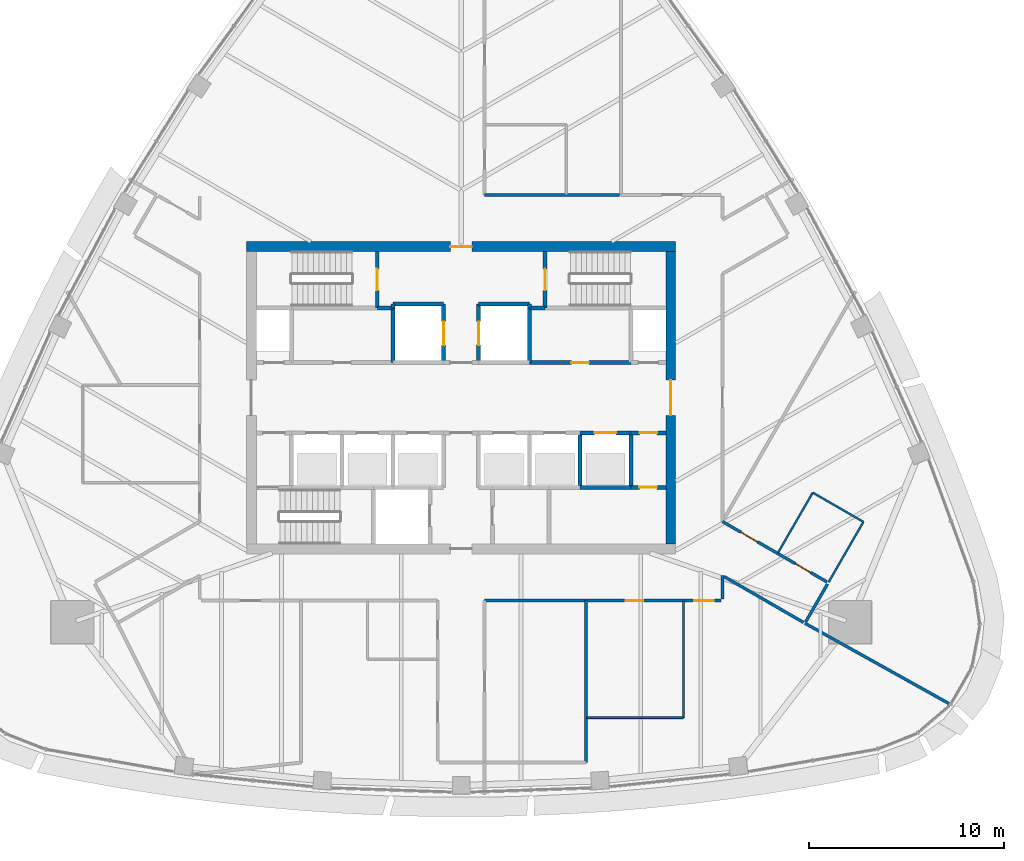
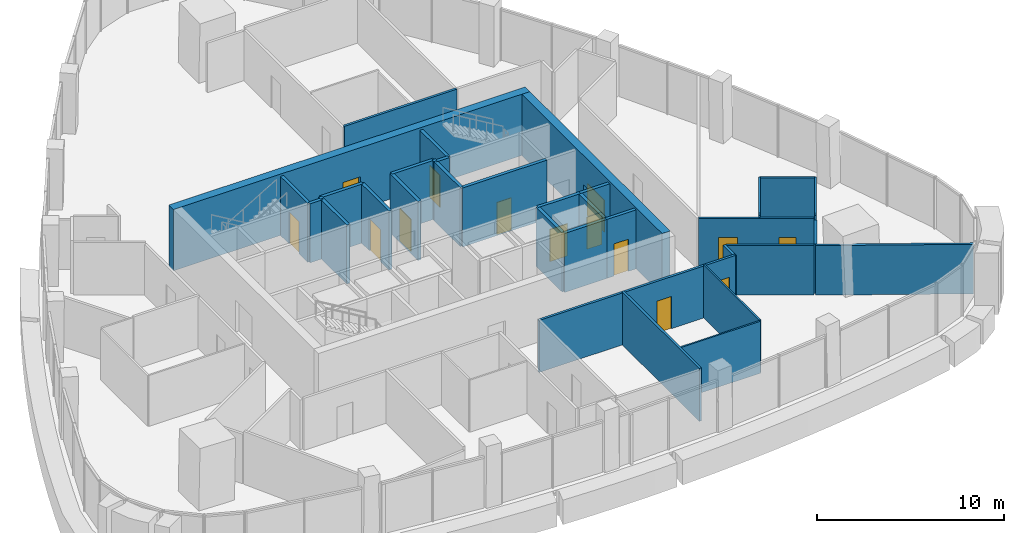
# One storey, part 10 of 15: 34 walls, 14 doors, 14 openings.
"""IFC4 building model written with IfcOpenShell, lengths in metres."""

from ifc_helpers import new_model, si_unit, direction, frame, frame_2d, origin, place, context, subcontext, project, spatial, rectangle, extrude, material, layer, layer_set, type_object, element, fill, save


model = new_model("IFC4")

# Units and contexts
model_context = context("Model", 3, precision=1e-05, world=origin(), true_north=direction((0.0, 1.0)))
body_context = subcontext(model_context, "Body", "Model", "MODEL_VIEW")
ifc_project = project(units=[si_unit("LENGTHUNIT", "METRE"), si_unit("AREAUNIT", "SQUARE_METRE"), si_unit("VOLUMEUNIT", "CUBIC_METRE"), si_unit("PLANEANGLEUNIT", "RADIAN"), si_unit("MASSUNIT", "GRAM", prefix="KILO")], contexts=[model_context])

# Site, building, storey
site_placement = place(None, origin())
site = spatial("IfcSite", under=ifc_project, at=site_placement, CompositionType="ELEMENT")
building_placement = place(site_placement, origin())
building = spatial("IfcBuilding", under=site, at=building_placement, Name="Sierra Prisma Convention Tower", CompositionType="ELEMENT")
storey_placement = place(building_placement, frame((0.0, 0.0, 315.0)))
storey = spatial("IfcBuildingStorey", under=building, at=storey_placement, Name="L72", CompositionType="ELEMENT", Elevation=315.0)

# Walls
ifc_material_1 = material(Name="Gypsum board partition", Category="gypsum")
ifc_layer_1 = layer(ifc_material_1, 0.10009765625)
ifc_layer_set_1 = layer_set([ifc_layer_1], Name="Bathroom partition 100")
wall_type_1 = type_object("IfcWallType", Name="Bathroom partition 100", PredefinedType="PARTITIONING", material=ifc_layer_set_1)
wall_1_placement = place(storey_placement, frame((11.39990234375, -10.429931640625, 0.0), z_axis=(0.0, 0.0, 1.0), x_axis=(0.0, -1.0, 0.0)))
element("IfcWall", 1, at=wall_1_placement, inside=storey, type_object=wall_type_1, Name="Partition L72 bath 8", PredefinedType="PARTITIONING", context=body_context, shape_type="SweptSolid", body=[
    extrude(rectangle(XDim=5.969970703125, YDim=0.10009765625, at=frame_2d((2.98486328125, 0.0))), origin(), (0.0, 0.0, 1.0), 3.449951171875),
])
wall_2_placement = place(storey_placement, frame((11.39990234375, -16.39990234375, 0.0), z_axis=(0.0, 0.0, 1.0), x_axis=(-1.0, 0.0, 0.0)))
element("IfcWall", 2, at=wall_2_placement, inside=storey, type_object=wall_type_1, Name="Partition L72 bath 9", PredefinedType="PARTITIONING", context=body_context, shape_type="SweptSolid", body=[
    extrude(rectangle(XDim=4.969970703125, YDim=0.10009765625, at=frame_2d((2.48486328125, 0.0))), origin(), (0.0, 0.0, 1.0), 3.39306640625),
])
wall_3_placement = place(storey_placement, frame((16.241455078125, -7.956787109375, 0.0), z_axis=(0.0, 0.0, 1.0), x_axis=(0.500022371132, 0.86601248742, 0.0)))
element("IfcWall", 3, at=wall_3_placement, inside=storey, type_object=wall_type_1, Name="Partition L72 bath 10", PredefinedType="PARTITIONING", context=body_context, shape_type="SweptSolid", body=[
    extrude(rectangle(XDim=3.570068359375, YDim=0.10009765625, at=frame_2d((1.78515625, 0.0))), origin(), (0.0, 0.0, 1.0), 3.449951171875),
])
wall_4_placement = place(storey_placement, frame((18.026611328125, -4.864990234375, 0.0), z_axis=(0.0, 0.0, 1.0), x_axis=(0.866010750942, -0.50002537861, 0.0)))
element("IfcWall", 4, at=wall_4_placement, inside=storey, type_object=wall_type_1, Name="Partition L72 bath 11", PredefinedType="PARTITIONING", context=body_context, shape_type="SweptSolid", body=[
    extrude(rectangle(XDim=2.999755859375, YDim=0.10009765625, at=frame_2d((1.5, 0.0))), origin(), (0.0, 0.0, 1.0), 3.443115234375),
])
wall_5_placement = place(storey_placement, frame((20.62451171875, -6.364990234375, 0.0), z_axis=(0.0, 0.0, 1.0), x_axis=(-0.499971082179, -0.866042098853, 0.0)))
element("IfcWall", 5, at=wall_5_placement, inside=storey, type_object=wall_type_1, Name="Partition L72 bath 12", PredefinedType="PARTITIONING", context=body_context, shape_type="SweptSolid", body=[
    extrude(rectangle(XDim=3.570068359375, YDim=0.10009765625, at=frame_2d((1.78515625, 0.0))), origin(), (0.0, 0.0, 1.0), 3.449951171875),
])
ifc_material_2 = material(Name="Concrete C30/37", Category="concrete")
ifc_layer_2 = layer(ifc_material_2, 0.199951171875)
ifc_layer_set_2 = layer_set([ifc_layer_2], Name="Core wall RC 200 C30/37")
wall_type_2 = type_object("IfcWallType", Name="Core wall RC 200 C30/37", PredefinedType="SOLIDWALL", material=ifc_layer_set_2)
wall_6_placement = place(storey_placement, frame((-3.5, 4.60009765625, 0.0), z_axis=(0.0, 0.0, 1.0), x_axis=(-1.0, 0.0, 0.0)))
element("IfcWall", 6, at=wall_6_placement, inside=storey, type_object=wall_type_2, Name="Core wall L72 16", PredefinedType="SOLIDWALL", context=body_context, shape_type="SweptSolid", body=[
    extrude(rectangle(XDim=0.800048828125, YDim=0.199951171875, at=frame_2d((0.39990234375, 0.0))), origin(), (0.0, 0.0, 1.0), 3.85009765625),
])

# Wall, opening, door
wall_7_placement = place(storey_placement, frame((-4.300048828125, 4.60009765625, 0.0), z_axis=(0.0, 0.0, 1.0), x_axis=(0.0, 1.0, 0.0)))
wall_7 = element("IfcWall", 7, at=wall_7_placement, inside=storey, type_object=wall_type_2, Name="Core wall L72 17", PredefinedType="SOLIDWALL", context=body_context, shape_type="SweptSolid", body=[
    extrude(rectangle(XDim=2.89990234375, YDim=0.199951171875, at=frame_2d((1.449951171875, 0.0))), origin(), (0.0, 0.0, 1.0), 3.85009765625),
])
opening_1_placement = place(wall_7_placement, frame((0.89990234375, 0.0, 0.0)))
opening_1 = element("IfcOpeningElement", 8, at=opening_1_placement, cuts=wall_7, Name="Opening L72-D016", PredefinedType="OPENING", context=body_context, shape_type="SweptSolid", body=[
    extrude(rectangle(XDim=1.10009765625, YDim=2.10009765625, at=frame_2d((0.550048828125, 1.050048828125))), frame((0.0, 0.10009765625, 0.0), z_axis=(0.0, -1.0, 0.0), x_axis=(1.0, 0.0, 0.0)), (0.0, 0.0, 1.0), 0.199951171875),
])
ifc_material_3 = material(Name="Steel fire door leaf", Category="steel")
door_type_1 = type_object("IfcDoorType", Name="Door 1100x2100 FD90S", OperationType="SINGLE_SWING_LEFT", PredefinedType="DOOR", material=ifc_material_3)
door_1_placement = place(opening_1_placement, origin())
door_1 = element("IfcDoor", 9, at=door_1_placement, inside=storey, type_object=door_type_1, Name="Door L72 32", OperationType="SINGLE_SWING_RIGHT", OverallHeight=2.10009765625, OverallWidth=1.10009765625, PredefinedType="DOOR", context=body_context, shape_type="SweptSolid", body=[
    extrude(rectangle(XDim=1.10009765625, YDim=2.10009765625, at=frame_2d((0.550048828125, 1.050048828125))), frame((0.0, 0.02490234375, 0.0), z_axis=(0.0, -1.0, 0.0), x_axis=(1.0, 0.0, 0.0)), (0.0, 0.0, 1.0), 0.050048828125),
])
fill(opening_1, door_1)

# Wall
wall_8_placement = place(storey_placement, frame((-3.5, 1.800048828125, 0.0), z_axis=(0.0, 0.0, 1.0), x_axis=(0.0, 1.0, 0.0)))
element("IfcWall", 10, at=wall_8_placement, inside=storey, type_object=wall_type_2, Name="Core wall L72 22", PredefinedType="SOLIDWALL", context=body_context, shape_type="SweptSolid", body=[
    extrude(rectangle(XDim=2.800048828125, YDim=0.199951171875, at=frame_2d((1.39990234375, 0.0))), origin(), (0.0, 0.0, 1.0), 3.85009765625),
])

# Wall, opening, door
wall_9_placement = place(storey_placement, frame((-0.89990234375, 1.800048828125, 0.0), z_axis=(0.0, 0.0, 1.0), x_axis=(0.0, 1.0, 0.0)))
wall_9 = element("IfcWall", 11, at=wall_9_placement, inside=storey, type_object=wall_type_2, Name="Core wall L72 23", PredefinedType="SOLIDWALL", context=body_context, shape_type="SweptSolid", body=[
    extrude(rectangle(XDim=3.0, YDim=0.199951171875, at=frame_2d((1.5, 0.0))), origin(), (0.0, 0.0, 1.0), 3.85009765625),
])
opening_2_placement = place(wall_9_placement, frame((0.89990234375, 0.0, 0.0)))
opening_2 = element("IfcOpeningElement", 12, at=opening_2_placement, cuts=wall_9, Name="Opening L72-D007", PredefinedType="OPENING", context=body_context, shape_type="SweptSolid", body=[
    extrude(rectangle(XDim=1.199951171875, YDim=2.10009765625, at=frame_2d((0.60009765625, 1.050048828125))), frame((0.0, 0.10009765625, 0.0), z_axis=(0.0, -1.0, 0.0), x_axis=(1.0, 0.0, 0.0)), (0.0, 0.0, 1.0), 0.199951171875),
])
ifc_material_4 = material(Name="Steel fire door leaf", Category="steel")
door_type_2 = type_object("IfcDoorType", Name="Door 1200x2100 EI 90 sliding lift landing", OperationType="SLIDING_TO_LEFT", PredefinedType="DOOR", material=ifc_material_4)
door_2_placement = place(opening_2_placement, origin())
door_2 = element("IfcDoor", 13, at=door_2_placement, inside=storey, type_object=door_type_2, Name="Door L72 23", OperationType="SLIDING_TO_LEFT", OverallHeight=2.10009765625, OverallWidth=1.199951171875, PredefinedType="DOOR", context=body_context, shape_type="SweptSolid", body=[
    extrude(rectangle(XDim=1.199951171875, YDim=2.10009765625, at=frame_2d((0.60009765625, 1.050048828125))), frame((0.0, 0.02490234375, 0.0), z_axis=(0.0, -1.0, 0.0), x_axis=(1.0, 0.0, 0.0)), (0.0, 0.0, 1.0), 0.050048828125),
])
fill(opening_2, door_2)

# Walls
wall_10_placement = place(storey_placement, frame((-0.89990234375, 4.800048828125, 0.0), z_axis=(0.0, 0.0, 1.0), x_axis=(-1.0, 0.0, 0.0)))
element("IfcWall", 14, at=wall_10_placement, inside=storey, type_object=wall_type_2, Name="Core wall L72 24", PredefinedType="SOLIDWALL", context=body_context, shape_type="SweptSolid", body=[
    extrude(rectangle(XDim=2.60009765625, YDim=0.199951171875, at=frame_2d((1.300048828125, 0.0))), origin(), (0.0, 0.0, 1.0), 3.85009765625),
])
for number, where, z_axis, x_axis, name in (
    (15, (-3.5, 4.800048828125, 0.0), (0.0, 0.0, 1.0), (0.0, -1.0, 0.0), "Core wall L72 25"),
    (16, (3.5, 4.60009765625, 0.0), (0.0, 0.0, 1.0), (0.0, 1.0, 0.0), "Core wall L72 35"),
):
    element("IfcWall", number, at=place(storey_placement, frame(where, z_axis=z_axis, x_axis=x_axis)), inside=storey, type_object=wall_type_2, Name=name, PredefinedType="SOLIDWALL", context=body_context, shape_type="SweptSolid", body=[
        extrude(rectangle(XDim=0.199951171875, YDim=0.199951171875, at=frame_2d((0.10009765625, 0.0))), origin(), (0.0, 0.0, 1.0), 3.85009765625),
    ])
wall_11_placement = place(storey_placement, frame((3.5, 4.800048828125, 0.0), z_axis=(0.0, 0.0, 1.0), x_axis=(-1.0, 0.0, 0.0)))
element("IfcWall", 17, at=wall_11_placement, inside=storey, type_object=wall_type_2, Name="Core wall L72 36", PredefinedType="SOLIDWALL", context=body_context, shape_type="SweptSolid", body=[
    extrude(rectangle(XDim=2.60009765625, YDim=0.199951171875, at=frame_2d((1.300048828125, 0.0))), origin(), (0.0, 0.0, 1.0), 3.85009765625),
])

# Wall, opening, door
wall_12_placement = place(storey_placement, frame((0.89990234375, 4.800048828125, 0.0), z_axis=(0.0, 0.0, 1.0), x_axis=(0.0, -1.0, 0.0)))
wall_12 = element("IfcWall", 18, at=wall_12_placement, inside=storey, type_object=wall_type_2, Name="Core wall L72 37", PredefinedType="SOLIDWALL", context=body_context, shape_type="SweptSolid", body=[
    extrude(rectangle(XDim=3.0, YDim=0.199951171875, at=frame_2d((1.5, 0.0))), origin(), (0.0, 0.0, 1.0), 3.85009765625),
])
opening_3_placement = place(wall_12_placement, frame((0.89990234375, 0.0, 0.0)))
opening_3 = element("IfcOpeningElement", 19, at=opening_3_placement, cuts=wall_12, Name="Opening L72-D008", PredefinedType="OPENING", context=body_context, shape_type="SweptSolid", body=[
    extrude(rectangle(XDim=1.199951171875, YDim=2.10009765625, at=frame_2d((0.60009765625, 1.050048828125))), frame((0.0, 0.10009765625, 0.0), z_axis=(0.0, -1.0, 0.0), x_axis=(1.0, 0.0, 0.0)), (0.0, 0.0, 1.0), 0.199951171875),
])
door_3_placement = place(opening_3_placement, origin())
door_3 = element("IfcDoor", 20, at=door_3_placement, inside=storey, type_object=door_type_2, Name="Door L72 24", OperationType="SLIDING_TO_LEFT", OverallHeight=2.10009765625, OverallWidth=1.199951171875, PredefinedType="DOOR", context=body_context, shape_type="SweptSolid", body=[
    extrude(rectangle(XDim=1.199951171875, YDim=2.10009765625, at=frame_2d((0.60009765625, 1.050048828125))), frame((0.0, 0.02490234375, 0.0), z_axis=(0.0, -1.0, 0.0), x_axis=(1.0, 0.0, 0.0)), (0.0, 0.0, 1.0), 0.050048828125),
])
fill(opening_3, door_3)

wall_13_placement = place(storey_placement, frame((3.5, 1.800048828125, 0.0), z_axis=(0.0, 0.0, 1.0), x_axis=(1.0, 0.0, 0.0)))
wall_13 = element("IfcWall", 21, at=wall_13_placement, inside=storey, type_object=wall_type_2, Name="Core wall L72 43", PredefinedType="SOLIDWALL", context=body_context, shape_type="SweptSolid", body=[
    extrude(rectangle(XDim=5.199951171875, YDim=0.199951171875, at=frame_2d((2.60009765625, 0.0))), origin(), (0.0, 0.0, 1.0), 3.85009765625),
])
opening_4_placement = place(wall_13_placement, frame((2.14990234375, 0.0, 0.0)))
opening_4 = element("IfcOpeningElement", 22, at=opening_4_placement, cuts=wall_13, Name="Opening L72-D018", PredefinedType="OPENING", context=body_context, shape_type="SweptSolid", body=[
    extrude(rectangle(XDim=0.89990234375, YDim=2.10009765625, at=frame_2d((0.449951171875, 1.050048828125))), frame((0.0, 0.10009765625, 0.0), z_axis=(0.0, -1.0, 0.0), x_axis=(1.0, 0.0, 0.0)), (0.0, 0.0, 1.0), 0.199951171875),
])
ifc_material_5 = material(Name="Steel fire door leaf", Category="steel")
door_type_3 = type_object("IfcDoorType", Name="Door 900x2100 FD30S", OperationType="SINGLE_SWING_LEFT", PredefinedType="DOOR", material=ifc_material_5)
door_4_placement = place(opening_4_placement, origin())
door_4 = element("IfcDoor", 23, at=door_4_placement, inside=storey, type_object=door_type_3, Name="Door L72 34", OperationType="SINGLE_SWING_LEFT", OverallHeight=2.10009765625, OverallWidth=0.89990234375, PredefinedType="DOOR", context=body_context, shape_type="SweptSolid", body=[
    extrude(rectangle(XDim=0.89990234375, YDim=2.10009765625, at=frame_2d((0.449951171875, 1.050048828125))), frame((0.0, 0.02490234375, 0.0), z_axis=(0.0, -1.0, 0.0), x_axis=(1.0, 0.0, 0.0)), (0.0, 0.0, 1.0), 0.050048828125),
])
fill(opening_4, door_4)

# Walls
wall_14_placement = place(storey_placement, frame((3.5, 4.60009765625, 0.0), z_axis=(0.0, 0.0, 1.0), x_axis=(0.0, -1.0, 0.0)))
element("IfcWall", 24, at=wall_14_placement, inside=storey, type_object=wall_type_2, Name="Core wall L72 44", PredefinedType="SOLIDWALL", context=body_context, shape_type="SweptSolid", body=[
    extrude(rectangle(XDim=2.800048828125, YDim=0.199951171875, at=frame_2d((1.39990234375, 0.0))), origin(), (0.0, 0.0, 1.0), 3.85009765625),
])
wall_15_placement = place(storey_placement, frame((4.300048828125, 4.60009765625, 0.0), z_axis=(0.0, 0.0, 1.0), x_axis=(-1.0, 0.0, 0.0)))
element("IfcWall", 25, at=wall_15_placement, inside=storey, type_object=wall_type_2, Name="Core wall L72 45", PredefinedType="SOLIDWALL", context=body_context, shape_type="SweptSolid", body=[
    extrude(rectangle(XDim=0.800048828125, YDim=0.199951171875, at=frame_2d((0.39990234375, 0.0))), origin(), (0.0, 0.0, 1.0), 3.85009765625),
])

# Wall, opening, door
wall_16_placement = place(storey_placement, frame((4.300048828125, 7.5, 0.0), z_axis=(0.0, 0.0, 1.0), x_axis=(0.0, -1.0, 0.0)))
wall_16 = element("IfcWall", 26, at=wall_16_placement, inside=storey, type_object=wall_type_2, Name="Core wall L72 47", PredefinedType="SOLIDWALL", context=body_context, shape_type="SweptSolid", body=[
    extrude(rectangle(XDim=2.89990234375, YDim=0.199951171875, at=frame_2d((1.449951171875, 0.0))), origin(), (0.0, 0.0, 1.0), 3.85009765625),
])
opening_5_placement = place(wall_16_placement, frame((0.89990234375, 0.0, 0.0)))
opening_5 = element("IfcOpeningElement", 27, at=opening_5_placement, cuts=wall_16, Name="Opening L72-D017", PredefinedType="OPENING", context=body_context, shape_type="SweptSolid", body=[
    extrude(rectangle(XDim=1.10009765625, YDim=2.10009765625, at=frame_2d((0.550048828125, 1.050048828125))), frame((0.0, 0.10009765625, 0.0), z_axis=(0.0, -1.0, 0.0), x_axis=(1.0, 0.0, 0.0)), (0.0, 0.0, 1.0), 0.199951171875),
])
door_5_placement = place(opening_5_placement, origin())
door_5 = element("IfcDoor", 28, at=door_5_placement, inside=storey, type_object=door_type_1, Name="Door L72 33", OperationType="SINGLE_SWING_LEFT", OverallHeight=2.10009765625, OverallWidth=1.10009765625, PredefinedType="DOOR", context=body_context, shape_type="SweptSolid", body=[
    extrude(rectangle(XDim=1.10009765625, YDim=2.10009765625, at=frame_2d((0.550048828125, 1.050048828125))), frame((0.0, 0.02490234375, 0.0), z_axis=(0.0, -1.0, 0.0), x_axis=(1.0, 0.0, 0.0)), (0.0, 0.0, 1.0), 0.050048828125),
])
fill(opening_5, door_5)

# Walls
wall_17_placement = place(storey_placement, frame((8.699951171875, -4.60009765625, 0.0), z_axis=(0.0, 0.0, 1.0), x_axis=(-1.0, 0.0, 0.0)))
element("IfcWall", 29, at=wall_17_placement, inside=storey, type_object=wall_type_2, Name="Core wall L72 50", PredefinedType="SOLIDWALL", context=body_context, shape_type="SweptSolid", body=[
    extrude(rectangle(XDim=2.599853515625, YDim=0.199951171875, at=frame_2d((1.2998046875, 0.0))), origin(), (0.0, 0.0, 1.0), 3.85009765625),
])
wall_18_placement = place(storey_placement, frame((6.10009765625, -4.60009765625, 0.0), z_axis=(0.0, 0.0, 1.0), x_axis=(0.0, 1.0, 0.0)))
element("IfcWall", 30, at=wall_18_placement, inside=storey, type_object=wall_type_2, Name="Core wall L72 51", PredefinedType="SOLIDWALL", context=body_context, shape_type="SweptSolid", body=[
    extrude(rectangle(XDim=2.800048828125, YDim=0.199951171875, at=frame_2d((1.39990234375, 0.0))), origin(), (0.0, 0.0, 1.0), 3.85009765625),
])

# Wall, opening, door
wall_19_placement = place(storey_placement, frame((6.10009765625, -1.800048828125, 0.0), z_axis=(0.0, 0.0, 1.0), x_axis=(1.0, 0.0, 0.0)))
wall_19 = element("IfcWall", 31, at=wall_19_placement, inside=storey, type_object=wall_type_2, Name="Core wall L72 52", PredefinedType="SOLIDWALL", context=body_context, shape_type="SweptSolid", body=[
    extrude(rectangle(XDim=2.599853515625, YDim=0.199951171875, at=frame_2d((1.2998046875, 0.0))), origin(), (0.0, 0.0, 1.0), 3.85009765625),
])
opening_6_placement = place(wall_19_placement, frame((0.75, 0.0, 0.0)))
opening_6 = element("IfcOpeningElement", 32, at=opening_6_placement, cuts=wall_19, Name="Opening L72-D006", PredefinedType="OPENING", context=body_context, shape_type="SweptSolid", body=[
    extrude(rectangle(XDim=1.10009765625, YDim=2.10009765625, at=frame_2d((0.550048828125, 1.050048828125))), frame((0.0, 0.10009765625, 0.0), z_axis=(0.0, -1.0, 0.0), x_axis=(1.0, 0.0, 0.0)), (0.0, 0.0, 1.0), 0.199951171875),
])
ifc_material_6 = material(Name="Steel fire door leaf", Category="steel")
door_type_4 = type_object("IfcDoorType", Name="Door 1100x2100 EI 90 sliding lift landing", OperationType="SLIDING_TO_LEFT", PredefinedType="DOOR", material=ifc_material_6)
door_6_placement = place(opening_6_placement, origin())
door_6 = element("IfcDoor", 33, at=door_6_placement, inside=storey, type_object=door_type_4, Name="Door L72 22", OperationType="SLIDING_TO_LEFT", OverallHeight=2.10009765625, OverallWidth=1.10009765625, PredefinedType="DOOR", context=body_context, shape_type="SweptSolid", body=[
    extrude(rectangle(XDim=1.10009765625, YDim=2.10009765625, at=frame_2d((0.550048828125, 1.050048828125))), frame((0.0, 0.02490234375, 0.0), z_axis=(0.0, -1.0, 0.0), x_axis=(1.0, 0.0, 0.0)), (0.0, 0.0, 1.0), 0.050048828125),
])
fill(opening_6, door_6)

wall_20_placement = place(storey_placement, frame((10.5, -4.60009765625, 0.0), z_axis=(0.0, 0.0, 1.0), x_axis=(-1.0, 0.0, 0.0)))
wall_20 = element("IfcWall", 34, at=wall_20_placement, inside=storey, type_object=wall_type_2, Name="Core wall L72 53", PredefinedType="SOLIDWALL", context=body_context, shape_type="SweptSolid", body=[
    extrude(rectangle(XDim=1.800048828125, YDim=0.199951171875, at=frame_2d((0.89990234375, 0.0))), origin(), (0.0, 0.0, 1.0), 3.85009765625),
])
opening_7_placement = place(wall_20_placement, frame((0.4599609375, 0.0, 0.0)))
opening_7 = element("IfcOpeningElement", 35, at=opening_7_placement, cuts=wall_20, Name="Opening L72-D020", PredefinedType="OPENING", context=body_context, shape_type="SweptSolid", body=[
    extrude(rectangle(XDim=0.89990234375, YDim=2.10009765625, at=frame_2d((0.449951171875, 1.050048828125))), frame((0.0, 0.10009765625, 0.0), z_axis=(0.0, -1.0, 0.0), x_axis=(1.0, 0.0, 0.0)), (0.0, 0.0, 1.0), 0.199951171875),
])
door_7_placement = place(opening_7_placement, origin())
door_7 = element("IfcDoor", 36, at=door_7_placement, inside=storey, type_object=door_type_3, Name="Door L72 36", OperationType="SINGLE_SWING_LEFT", OverallHeight=2.10009765625, OverallWidth=0.89990234375, PredefinedType="DOOR", context=body_context, shape_type="SweptSolid", body=[
    extrude(rectangle(XDim=0.89990234375, YDim=2.10009765625, at=frame_2d((0.449951171875, 1.050048828125))), frame((0.0, 0.02490234375, 0.0), z_axis=(0.0, -1.0, 0.0), x_axis=(1.0, 0.0, 0.0)), (0.0, 0.0, 1.0), 0.050048828125),
])
fill(opening_7, door_7)

# Wall
wall_21_placement = place(storey_placement, frame((8.699951171875, -1.800048828125, 0.0), z_axis=(0.0, 0.0, 1.0), x_axis=(0.0, -1.0, 0.0)))
element("IfcWall", 37, at=wall_21_placement, inside=storey, type_object=wall_type_2, Name="Core wall L72 54", PredefinedType="SOLIDWALL", context=body_context, shape_type="SweptSolid", body=[
    extrude(rectangle(XDim=2.800048828125, YDim=0.199951171875, at=frame_2d((1.39990234375, 0.0))), origin(), (0.0, 0.0, 1.0), 3.85009765625),
])

# Wall, opening, door
wall_22_placement = place(storey_placement, frame((8.699951171875, -1.800048828125, 0.0), z_axis=(0.0, 0.0, 1.0), x_axis=(1.0, 0.0, 0.0)))
wall_22 = element("IfcWall", 38, at=wall_22_placement, inside=storey, type_object=wall_type_2, Name="Core wall L72 55", PredefinedType="SOLIDWALL", context=body_context, shape_type="SweptSolid", body=[
    extrude(rectangle(XDim=1.800048828125, YDim=0.199951171875, at=frame_2d((0.89990234375, 0.0))), origin(), (0.0, 0.0, 1.0), 3.85009765625),
])
opening_8_placement = place(wall_22_placement, frame((0.449951171875, 0.0, 0.0)))
opening_8 = element("IfcOpeningElement", 39, at=opening_8_placement, cuts=wall_22, Name="Opening L72-D021", PredefinedType="OPENING", context=body_context, shape_type="SweptSolid", body=[
    extrude(rectangle(XDim=0.89990234375, YDim=2.10009765625, at=frame_2d((0.449951171875, 1.050048828125))), frame((0.0, 0.10009765625, 0.0), z_axis=(0.0, -1.0, 0.0), x_axis=(1.0, 0.0, 0.0)), (0.0, 0.0, 1.0), 0.199951171875),
])
door_8_placement = place(opening_8_placement, origin())
door_8 = element("IfcDoor", 40, at=door_8_placement, inside=storey, type_object=door_type_3, Name="Door L72 37", OperationType="SINGLE_SWING_RIGHT", OverallHeight=2.10009765625, OverallWidth=0.89990234375, PredefinedType="DOOR", context=body_context, shape_type="SweptSolid", body=[
    extrude(rectangle(XDim=0.89990234375, YDim=2.10009765625, at=frame_2d((0.449951171875, 1.050048828125))), frame((0.0, 0.02490234375, 0.0), z_axis=(0.0, -1.0, 0.0), x_axis=(1.0, 0.0, 0.0)), (0.0, 0.0, 1.0), 0.050048828125),
])
fill(opening_8, door_8)

ifc_material_7 = material(Name="Concrete C50/60", Category="concrete")
ifc_layer_3 = layer(ifc_material_7, 0.5)
ifc_layer_set_3 = layer_set([ifc_layer_3], Name="Core wall RC 500 C50/60")
wall_type_3 = type_object("IfcWallType", Name="Core wall RC 500 C50/60", PredefinedType="SHEAR", material=ifc_layer_set_3)
wall_23_placement = place(storey_placement, frame((-11.0, 7.75, 0.0), z_axis=(0.0, 0.0, 1.0), x_axis=(1.0, 0.0, 0.0)))
wall_23 = element("IfcWall", 41, at=wall_23_placement, inside=storey, type_object=wall_type_3, Name="Core wall N L72", PredefinedType="SHEAR", context=body_context, shape_type="SweptSolid", body=[
    extrude(rectangle(XDim=22.0, YDim=0.5, at=frame_2d((11.0, 0.0))), origin(), (0.0, 0.0, 1.0), 4.0),
])
opening_9_placement = place(wall_23_placement, frame((10.449951171875, 0.0, 0.0)))
opening_9 = element("IfcOpeningElement", 42, at=opening_9_placement, cuts=wall_23, Name="Opening L72-D040", PredefinedType="OPENING", context=body_context, shape_type="SweptSolid", body=[
    extrude(rectangle(XDim=1.10009765625, YDim=2.10009765625, at=frame_2d((0.550048828125, 1.050048828125))), frame((0.0, 0.25, 0.0), z_axis=(0.0, -1.0, 0.0), x_axis=(1.0, 0.0, 0.0)), (0.0, 0.0, 1.0), 0.5),
])
ifc_material_8 = material(Name="Steel fire door leaf", Category="steel")
door_type_5 = type_object("IfcDoorType", Name="Door 1100x2100 FD60S", OperationType="SINGLE_SWING_LEFT", PredefinedType="DOOR", material=ifc_material_8)
door_9_placement = place(opening_9_placement, origin())
door_9 = element("IfcDoor", 43, at=door_9_placement, inside=storey, type_object=door_type_5, Name="Door L72 41", OperationType="SINGLE_SWING_LEFT", OverallHeight=2.10009765625, OverallWidth=1.10009765625, PredefinedType="DOOR", context=body_context, shape_type="SweptSolid", body=[
    extrude(rectangle(XDim=1.10009765625, YDim=2.10009765625, at=frame_2d((0.550048828125, 1.050048828125))), frame((0.0, 0.02490234375, 0.0), z_axis=(0.0, -1.0, 0.0), x_axis=(1.0, 0.0, 0.0)), (0.0, 0.0, 1.0), 0.050048828125),
])
fill(opening_9, door_9)

wall_24_placement = place(storey_placement, frame((10.75, -7.5, 0.0), z_axis=(0.0, 0.0, 1.0), x_axis=(0.0, 1.0, 0.0)))
wall_24 = element("IfcWall", 44, at=wall_24_placement, inside=storey, type_object=wall_type_3, Name="Core wall E L72", PredefinedType="SHEAR", context=body_context, shape_type="SweptSolid", body=[
    extrude(rectangle(XDim=15.0, YDim=0.5, at=frame_2d((7.5, 0.0))), origin(), (0.0, 0.0, 1.0), 4.0),
])
opening_10_placement = place(wall_24_placement, frame((6.60009765625, 0.0, 0.0)))
opening_10 = element("IfcOpeningElement", 45, at=opening_10_placement, cuts=wall_24, Name="Opening L72-D039", PredefinedType="OPENING", context=body_context, shape_type="SweptSolid", body=[
    extrude(rectangle(XDim=1.800048828125, YDim=2.10009765625, at=frame_2d((0.89990234375, 1.050048828125))), frame((0.0, 0.25, 0.0), z_axis=(0.0, -1.0, 0.0), x_axis=(1.0, 0.0, 0.0)), (0.0, 0.0, 1.0), 0.5),
])
ifc_material_9 = material(Name="Steel fire door leaf", Category="steel")
door_type_6 = type_object("IfcDoorType", Name="Door 1800x2100 FD60S", OperationType="DOUBLE_DOOR_SINGLE_SWING", PredefinedType="DOOR", material=ifc_material_9)
door_10_placement = place(opening_10_placement, origin())
door_10 = element("IfcDoor", 46, at=door_10_placement, inside=storey, type_object=door_type_6, Name="Door L72 40", OperationType="DOUBLE_DOOR_SINGLE_SWING", OverallHeight=2.10009765625, OverallWidth=1.800048828125, PredefinedType="DOOR", context=body_context, shape_type="SweptSolid", body=[
    extrude(rectangle(XDim=1.800048828125, YDim=2.10009765625, at=frame_2d((0.89990234375, 1.050048828125))), frame((0.0, 0.02490234375, 0.0), z_axis=(0.0, -1.0, 0.0), x_axis=(1.0, 0.0, 0.0)), (0.0, 0.0, 1.0), 0.050048828125),
])
fill(opening_10, door_10)

# Wall, openings, doors
ifc_material_10 = material(Name="Gypsum board partition", Category="gypsum")
ifc_layer_4 = layer(ifc_material_10, 0.14990234375)
ifc_layer_set_4 = layer_set([ifc_layer_4], Name="Corridor wall 150 gypsum EI 60")
wall_type_4 = type_object("IfcWallType", Name="Corridor wall 150 gypsum EI 60", PredefinedType="PARTITIONING", material=ifc_layer_set_4)
wall_25_placement = place(storey_placement, frame((1.199951171875, -10.39990234375, 0.0), z_axis=(0.0, 0.0, 1.0), x_axis=(1.0, 0.0, 0.0)))
wall_25 = element("IfcWall", 47, at=wall_25_placement, inside=storey, type_object=wall_type_4, Name="Partition L72 corr 15", PredefinedType="PARTITIONING", context=body_context, shape_type="SweptSolid", body=[
    extrude(rectangle(XDim=12.1201171875, YDim=0.14990234375, at=frame_2d((6.06005859375, 0.0))), origin(), (0.0, 0.0, 1.0), 3.39306640625),
])
opening_11_placement = place(wall_25_placement, frame((7.25, 0.0, 0.0)))
opening_11 = element("IfcOpeningElement", 48, at=opening_11_placement, cuts=wall_25, Name="Opening L72-D035", PredefinedType="OPENING", context=body_context, shape_type="SweptSolid", body=[
    extrude(rectangle(XDim=0.89990234375, YDim=2.10009765625, at=frame_2d((0.449951171875, 1.050048828125))), frame((0.0, 0.074951171875, 0.0), z_axis=(0.0, -1.0, 0.0), x_axis=(1.0, 0.0, 0.0)), (0.0, 0.0, 1.0), 0.14990234375),
])
opening_12_placement = place(wall_25_placement, frame((10.75, 0.0, 0.0)))
opening_12 = element("IfcOpeningElement", 49, at=opening_12_placement, cuts=wall_25, Name="Opening L72-D036", PredefinedType="OPENING", context=body_context, shape_type="SweptSolid", body=[
    extrude(rectangle(XDim=1.0, YDim=2.10009765625, at=frame_2d((0.5, 1.050048828125))), frame((0.0, 0.074951171875, 0.0), z_axis=(0.0, -1.0, 0.0), x_axis=(1.0, 0.0, 0.0)), (0.0, 0.0, 1.0), 0.14990234375),
])
ifc_material_11 = material(Name="Steel fire door leaf", Category="steel")
door_type_7 = type_object("IfcDoorType", Name="Door 1000x2100 FD30S", OperationType="SINGLE_SWING_LEFT", PredefinedType="DOOR", material=ifc_material_11)
door_11_placement = place(opening_12_placement, origin())
door_11 = element("IfcDoor", 50, at=door_11_placement, inside=storey, type_object=door_type_7, Name="Door L72 14", OperationType="SINGLE_SWING_RIGHT", OverallHeight=2.10009765625, OverallWidth=1.0, PredefinedType="DOOR", context=body_context, shape_type="SweptSolid", body=[
    extrude(rectangle(XDim=1.0, YDim=2.10009765625, at=frame_2d((0.5, 1.050048828125))), frame((0.0, 0.02490234375, 0.0), z_axis=(0.0, -1.0, 0.0), x_axis=(1.0, 0.0, 0.0)), (0.0, 0.0, 1.0), 0.050048828125),
])
fill(opening_12, door_11)
door_12_placement = place(opening_11_placement, origin())
door_12 = element("IfcDoor", 51, at=door_12_placement, inside=storey, type_object=door_type_3, Name="Door L72 13", OperationType="SINGLE_SWING_RIGHT", OverallHeight=2.10009765625, OverallWidth=0.89990234375, PredefinedType="DOOR", context=body_context, shape_type="SweptSolid", body=[
    extrude(rectangle(XDim=0.89990234375, YDim=2.10009765625, at=frame_2d((0.449951171875, 1.050048828125))), frame((0.0, 0.02490234375, 0.0), z_axis=(0.0, -1.0, 0.0), x_axis=(1.0, 0.0, 0.0)), (0.0, 0.0, 1.0), 0.050048828125),
])
fill(opening_11, door_12)

# Walls
wall_26_placement = place(storey_placement, frame((8.1201171875, 10.39990234375, 0.0), z_axis=(0.0, 0.0, 1.0), x_axis=(-1.0, 0.0, 0.0)))
element("IfcWall", 52, at=wall_26_placement, inside=storey, type_object=wall_type_4, Name="Partition L72 corr 16", PredefinedType="PARTITIONING", context=body_context, shape_type="SweptSolid", body=[
    extrude(rectangle(XDim=6.920166015625, YDim=0.14990234375, at=frame_2d((3.4599609375, 0.0))), origin(), (0.0, 0.0, 1.0), 3.449951171875),
])
wall_27_placement = place(storey_placement, frame((13.39990234375, -10.320068359375, 0.0), z_axis=(0.0, 0.0, 1.0), x_axis=(0.0, 1.0, 0.0)))
element("IfcWall", 53, at=wall_27_placement, inside=storey, type_object=wall_type_4, Name="Partition L72 corr 19", PredefinedType="PARTITIONING", context=body_context, shape_type="SweptSolid", body=[
    extrude(rectangle(XDim=1.197998046875, YDim=0.14990234375, at=frame_2d((0.59912109375, 0.0))), origin(), (0.0, 0.0, 1.0), 3.23291015625),
])
wall_28_placement = place(storey_placement, frame((13.479248046875, -9.16796875, 0.0), z_axis=(0.0, 0.0, 1.0), x_axis=(0.866035288455, -0.499982878858, 0.0)))
element("IfcWall", 54, at=wall_28_placement, inside=storey, type_object=wall_type_4, Name="Partition L72 corr 20", PredefinedType="PARTITIONING", context=body_context, shape_type="SweptSolid", body=[
    extrude(rectangle(XDim=4.706787109375, YDim=0.14990234375, at=frame_2d((2.353515625, 0.0))), origin(), (0.0, 0.0, 1.0), 3.23291015625),
])

# Wall, openings, doors
wall_29_placement = place(storey_placement, frame((18.75537109375, -9.442626953125, 0.0), z_axis=(0.0, 0.0, 1.0), x_axis=(-0.866038319186, 0.499977629202, 0.0)))
wall_29 = element("IfcWall", 55, at=wall_29_placement, inside=storey, type_object=wall_type_4, Name="Partition L72 corr 23", PredefinedType="PARTITIONING", context=body_context, shape_type="SweptSolid", body=[
    extrude(rectangle(XDim=6.183837890625, YDim=0.14990234375, at=frame_2d((3.091796875, 0.0))), origin(), (0.0, 0.0, 1.0), 3.31689453125),
])
opening_13_placement = place(wall_29_placement, frame((0.969970703125, 0.0, 0.0)))
opening_13 = element("IfcOpeningElement", 56, at=opening_13_placement, cuts=wall_29, Name="Opening L72-D037", PredefinedType="OPENING", context=body_context, shape_type="SweptSolid", body=[
    extrude(rectangle(XDim=0.89990234375, YDim=2.10009765625, at=frame_2d((0.449951171875, 1.050048828125))), frame((0.0, 0.074951171875, 0.0), z_axis=(0.0, -1.0, 0.0), x_axis=(1.0, 0.0, 0.0)), (0.0, 0.0, 1.0), 0.14990234375),
])
opening_14_placement = place(wall_29_placement, frame((4.101806640625, 0.0, 0.0)))
opening_14 = element("IfcOpeningElement", 57, at=opening_14_placement, cuts=wall_29, Name="Opening L72-D038", PredefinedType="OPENING", context=body_context, shape_type="SweptSolid", body=[
    extrude(rectangle(XDim=1.0, YDim=2.10009765625, at=frame_2d((0.5, 1.050048828125))), frame((0.0, 0.074951171875, 0.0), z_axis=(0.0, -1.0, 0.0), x_axis=(1.0, 0.0, 0.0)), (0.0, 0.0, 1.0), 0.14990234375),
])
door_13_placement = place(opening_14_placement, origin())
door_13 = element("IfcDoor", 58, at=door_13_placement, inside=storey, type_object=door_type_7, Name="Door L72 16", OperationType="SINGLE_SWING_LEFT", OverallHeight=2.10009765625, OverallWidth=1.0, PredefinedType="DOOR", context=body_context, shape_type="SweptSolid", body=[
    extrude(rectangle(XDim=1.0, YDim=2.10009765625, at=frame_2d((0.5, 1.050048828125))), frame((0.0, 0.02490234375, 0.0), z_axis=(0.0, -1.0, 0.0), x_axis=(1.0, 0.0, 0.0)), (0.0, 0.0, 1.0), 0.050048828125),
])
fill(opening_14, door_13)
door_14_placement = place(opening_13_placement, origin())
door_14 = element("IfcDoor", 59, at=door_14_placement, inside=storey, type_object=door_type_3, Name="Door L72 15", OperationType="SINGLE_SWING_LEFT", OverallHeight=2.10009765625, OverallWidth=0.89990234375, PredefinedType="DOOR", context=body_context, shape_type="SweptSolid", body=[
    extrude(rectangle(XDim=0.89990234375, YDim=2.10009765625, at=frame_2d((0.449951171875, 1.050048828125))), frame((0.0, 0.02490234375, 0.0), z_axis=(0.0, -1.0, 0.0), x_axis=(1.0, 0.0, 0.0)), (0.0, 0.0, 1.0), 0.050048828125),
])
fill(opening_13, door_14)

# Walls
wall_30_placement = place(storey_placement, frame((17.66455078125, -11.491943359375, 0.0), z_axis=(0.0, 0.0, 1.0), x_axis=(0.49994888933, 0.866054910533, 0.0)))
element("IfcWall", 60, at=wall_30_placement, inside=storey, type_object=wall_type_4, Name="Partition L72 corr 27", PredefinedType="PARTITIONING", context=body_context, shape_type="SweptSolid", body=[
    extrude(rectangle(XDim=2.239990234375, YDim=0.14990234375, at=frame_2d((1.1201171875, 0.0))), origin(), (0.0, 0.0, 1.0), 3.23291015625),
])
ifc_material_12 = material(Name="Gypsum board partition", Category="gypsum")
ifc_layer_5 = layer(ifc_material_12, 0.14990234375)
ifc_layer_set_5 = layer_set([ifc_layer_5], Name="Party wall 150 gypsum")
wall_type_5 = type_object("IfcWallType", Name="Party wall 150 gypsum", PredefinedType="PARTITIONING", material=ifc_layer_set_5)
wall_31_placement = place(storey_placement, frame((6.39990234375, -10.39990234375, 0.0), z_axis=(0.0, 0.0, 1.0), x_axis=(0.0, -1.0, 0.0)))
element("IfcWall", 61, at=wall_31_placement, inside=storey, type_object=wall_type_5, Name="Partition L72 party 8", PredefinedType="PARTITIONING", context=body_context, shape_type="SweptSolid", body=[
    extrude(rectangle(XDim=8.302978515625, YDim=0.14990234375, at=frame_2d((4.1513671875, 0.0))), origin(), (0.0, 0.0, 1.0), 3.449951171875),
])
wall_32_placement = place(storey_placement, frame((17.62451171875, -11.561279296875, 0.0), z_axis=(0.0, 0.0, 1.0), x_axis=(0.873370497539, -0.487056438238, 0.0)))
element("IfcWall", 62, at=wall_32_placement, inside=storey, type_object=wall_type_5, Name="Partition L72 party 16", PredefinedType="PARTITIONING", context=body_context, shape_type="SweptSolid", body=[
    extrude(rectangle(XDim=8.443115234375, YDim=0.14990234375, at=frame_2d((4.2216796875, 0.0))), origin(), (0.0, 0.0, 1.0), 3.23388671875),
])

save(model, "model.ifc")
